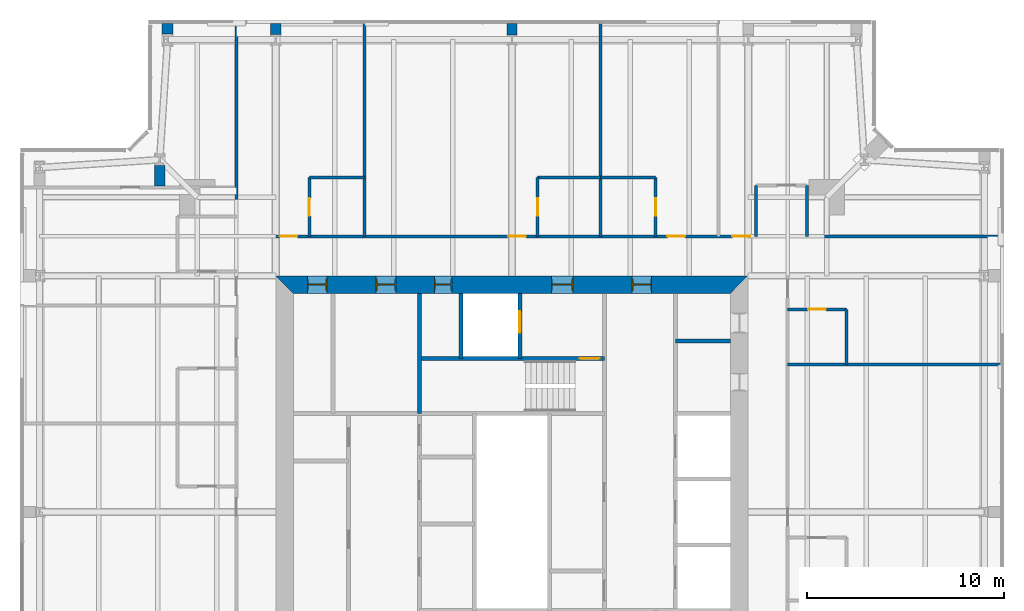
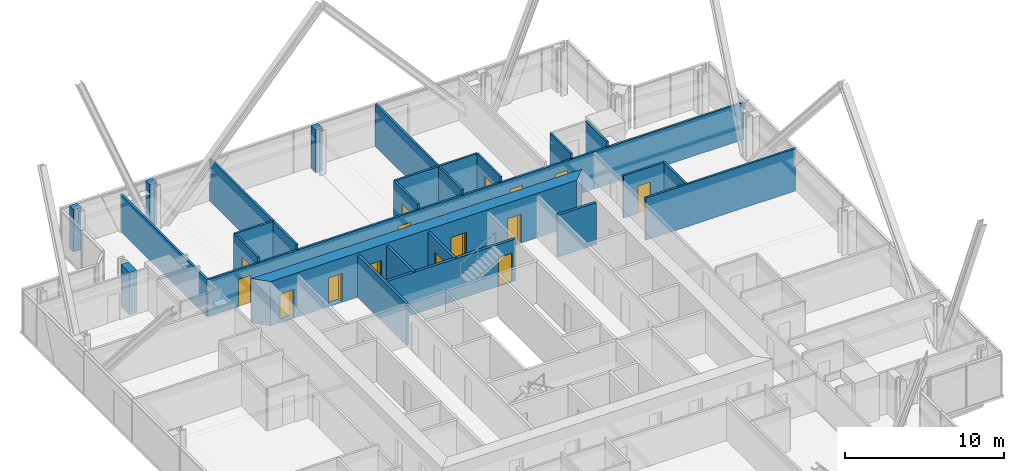
# One storey, part 14 of 18: 26 walls, 15 doors, 15 openings.
"""IFC4 building model written with IfcOpenShell, lengths in metres."""

from ifc_helpers import new_model, si_unit, direction, frame, frame_2d, origin, place, context, subcontext, project, spatial, polyline, rectangle, outline, extrude, material, layer, layer_set, type_object, element, fill, save


model = new_model("IFC4")

# Units and contexts
model_context = context("Model", 3, precision=1e-05, world=origin(), true_north=direction((0.0, 1.0)))
body_context = subcontext(model_context, "Body", "Model", "MODEL_VIEW")
ifc_project = project(units=[si_unit("LENGTHUNIT", "METRE"), si_unit("AREAUNIT", "SQUARE_METRE"), si_unit("VOLUMEUNIT", "CUBIC_METRE"), si_unit("PLANEANGLEUNIT", "RADIAN"), si_unit("MASSUNIT", "GRAM", prefix="KILO")], contexts=[model_context])

# Site, building, storey
site_placement = place(None, origin())
site = spatial("IfcSite", under=ifc_project, at=site_placement, CompositionType="ELEMENT")
building_placement = place(site_placement, origin())
building = spatial("IfcBuilding", under=site, at=building_placement, Name="Fenwick Lantern Interchange", CompositionType="ELEMENT")
storey_placement = place(building_placement, frame((0.0, 0.0, 269.60009765625)))
storey = spatial("IfcBuildingStorey", under=building, at=storey_placement, Name="L64", CompositionType="ELEMENT", Elevation=269.60009765625)

# Walls
ifc_material_1 = material(Name="Fire-rated gypsum board encasement on steel studs, 2 hour", Category="steel")
ifc_layer_1 = layer(ifc_material_1, 0.52392578125)
ifc_layer_set_1 = layer_set([ifc_layer_1], Name="COLUMN PIER 524")
wall_type_1 = type_object("IfcWallType", Name="COLUMN PIER 524", PredefinedType="PARTITIONING", material=ifc_layer_set_1)
wall_1_placement = place(storey_placement, frame((25.0, 49.81005859375, 0.0), z_axis=(0.0, 0.0, 1.0), x_axis=(0.0, -1.0, 0.0)))
element("IfcWall", 1, at=wall_1_placement, inside=storey, type_object=wall_type_1, Name="L64/W/PIER/CN3", PredefinedType="PARTITIONING", context=body_context, shape_type="SweptSolid", body=[
    extrude(rectangle(XDim=0.572509765625, YDim=0.52392578125, at=frame_2d((0.2861328125, 0.0))), origin(), (0.0, 0.0, 1.0), 3.25),
])
ifc_layer_2 = layer(ifc_material_1, 0.5419921875)
ifc_layer_set_2 = layer_set([ifc_layer_2], Name="COLUMN PIER 542")
wall_type_2 = type_object("IfcWallType", Name="COLUMN PIER 542", PredefinedType="PARTITIONING", material=ifc_layer_set_2)
wall_2_placement = place(storey_placement, frame((13.0, 49.81005859375, 0.0), z_axis=(0.0, 0.0, 1.0), x_axis=(0.0, -1.0, 0.0)))
element("IfcWall", 2, at=wall_2_placement, inside=storey, type_object=wall_type_2, Name="L64/W/PIER/CN4", PredefinedType="PARTITIONING", context=body_context, shape_type="SweptSolid", body=[
    extrude(rectangle(XDim=0.544677734375, YDim=0.5419921875, at=frame_2d((0.2724609375, 0.0))), origin(), (0.0, 0.0, 1.0), 3.25),
])
ifc_layer_3 = layer(ifc_material_1, 0.554931640625)
ifc_layer_set_3 = layer_set([ifc_layer_3], Name="COLUMN PIER 555")
wall_type_3 = type_object("IfcWallType", Name="COLUMN PIER 555", PredefinedType="PARTITIONING", material=ifc_layer_set_3)
wall_3_placement = place(storey_placement, frame((7.5, 49.81005859375, 0.0), z_axis=(0.0, 0.0, 1.0), x_axis=(0.0, -1.0, 0.0)))
element("IfcWall", 3, at=wall_3_placement, inside=storey, type_object=wall_type_3, Name="L64/W/PIER/CN5", PredefinedType="PARTITIONING", context=body_context, shape_type="SweptSolid", body=[
    extrude(rectangle(XDim=0.525634765625, YDim=0.554931640625, at=frame_2d((0.2626953125, 0.0))), origin(), (0.0, 0.0, 1.0), 3.25),
])
wall_4_placement = place(storey_placement, frame((7.10009765625, 41.574951171875, 0.0), z_axis=(0.0, 0.0, 1.0), x_axis=(0.0, 1.0, 0.0)))
element("IfcWall", 4, at=wall_4_placement, inside=storey, type_object=wall_type_3, Name="L64/W/PIER/CNR", PredefinedType="PARTITIONING", context=body_context, shape_type="SweptSolid", body=[
    extrude(rectangle(XDim=1.04052734375, YDim=0.554931640625, at=frame_2d((0.520263671875, 0.0))), origin(), (0.0, 0.0, 1.0), 3.25),
])

# Wall, opening, door
ifc_material_2 = material(Name="Concrete masonry ASTM C90 Grade N", Category="masonry")
ifc_layer_4 = layer(ifc_material_2, 0.199951171875)
ifc_layer_set_4 = layer_set([ifc_layer_4], Name="Concrete masonry ASTM C90 Grade N")
wall_type_4 = type_object("IfcWallType", Name="CORE PARTITION 200", PredefinedType="PARTITIONING", material=ifc_layer_set_4)
wall_5_placement = place(storey_placement, frame((25.39990234375, 36.10009765625, 0.0), z_axis=(0.0, 0.0, 1.0), x_axis=(0.0, -1.0, 0.0)))
wall_5 = element("IfcWall", 5, at=wall_5_placement, inside=storey, type_object=wall_type_4, Name="L64/W/COREN/h1", PredefinedType="PARTITIONING", context=body_context, shape_type="SweptSolid", body=[
    extrude(rectangle(XDim=3.300048828125, YDim=0.199951171875, at=frame_2d((1.64990234375, 0.0))), origin(), (0.0, 0.0, 1.0), 3.199951171875),
])
opening_1_placement = place(wall_5_placement, frame((0.89990234375, 0.0, 0.0)))
opening_1 = element("IfcOpeningElement", 6, at=opening_1_placement, cuts=wall_5, Name="Opening LD-FL2", PredefinedType="OPENING", context=body_context, shape_type="SweptSolid", body=[
    extrude(rectangle(XDim=1.10009765625, YDim=2.199951171875, at=frame_2d((0.550048828125, 1.10009765625))), frame((0.0, 0.10986328125, 0.0), z_axis=(0.0, -1.0, 0.0), x_axis=(1.0, 0.0, 0.0)), (0.0, 0.0, 1.0), 0.219970703125),
])
ifc_material_3 = material(Name="Steel door and frame", Category="steel")
door_type_1 = type_object("IfcDoorType", Name="LIFT LANDING DOOR 1100 X 2200", OperationType="DOUBLE_DOOR_SLIDING", PredefinedType="DOOR", material=ifc_material_3)
door_1_placement = place(opening_1_placement, origin())
door_1 = element("IfcDoor", 7, at=door_1_placement, inside=storey, type_object=door_type_1, Name="Lift landing door FL2", OperationType="DOUBLE_DOOR_SLIDING", OverallHeight=2.199951171875, OverallWidth=1.10009765625, PredefinedType="DOOR", context=body_context, shape_type="SweptSolid", body=[
    extrude(rectangle(XDim=1.10009765625, YDim=2.199951171875, at=frame_2d((0.550048828125, 1.10009765625))), frame((0.0, 0.02490234375, 0.0), z_axis=(0.0, -1.0, 0.0), x_axis=(1.0, 0.0, 0.0)), (0.0, 0.0, 1.0), 0.050048828125),
])
fill(opening_1, door_1)

# Walls
wall_6_placement = place(storey_placement, frame((22.39990234375, 36.10009765625, 0.0), z_axis=(0.0, 0.0, 1.0), x_axis=(0.0, -1.0, 0.0)))
element("IfcWall", 8, at=wall_6_placement, inside=storey, type_object=wall_type_4, Name="L64/W/COREN/h2", PredefinedType="PARTITIONING", context=body_context, shape_type="SweptSolid", body=[
    extrude(rectangle(XDim=3.300048828125, YDim=0.199951171875, at=frame_2d((1.64990234375, 0.0))), origin(), (0.0, 0.0, 1.0), 3.199951171875),
])
wall_7_placement = place(storey_placement, frame((36.10009765625, 33.699951171875, 0.0), z_axis=(0.0, 0.0, 1.0), x_axis=(-1.0, 0.0, 0.0)))
element("IfcWall", 9, at=wall_7_placement, inside=storey, type_object=wall_type_4, Name="L64/W/COREN/p1", PredefinedType="PARTITIONING", context=body_context, shape_type="SweptSolid", body=[
    extrude(rectangle(XDim=2.800048828125, YDim=0.199951171875, at=frame_2d((1.39990234375, 0.0))), origin(), (0.0, 0.0, 1.0), 3.199951171875),
])

# Wall, openings, doors
ifc_material_4 = material(Name="Concrete f'c 70 MPa", Category="concrete")
ifc_layer_5 = layer(ifc_material_4, 0.89990234375)
ifc_layer_set_5 = layer_set([ifc_layer_5], Name="CORE WALL 900")
wall_type_5 = type_object("IfcWallType", Name="CORE WALL 900", PredefinedType="SHEAR", material=ifc_layer_set_5)
wall_8_placement = place(storey_placement, frame((37.0, 36.550048828125, 0.0), z_axis=(0.0, 0.0, 1.0), x_axis=(-1.0, 0.0, 0.0)))
wall_8 = element("IfcWall", 10, at=wall_8_placement, inside=storey, type_object=wall_type_5, Name="L64/CORE/N", PredefinedType="SHEAR", context=body_context, shape_type="SweptSolid", body=[
    extrude(outline(polyline([(0.0, -0.449951171875), (24.0, -0.449951171875), (23.10009765625, 0.449951171875), (0.89990234375, 0.449951171875), (0.0, -0.449951171875)])), origin(), (0.0, 0.0, 1.0), 3.39990234375),
])
opening_2_placement = place(wall_8_placement, frame((4.89990234375, 0.0, 0.0)))
opening_2 = element("IfcOpeningElement", 11, at=opening_2_placement, cuts=wall_8, Name="Opening L64-D014", PredefinedType="OPENING", context=body_context, shape_type="SweptSolid", body=[
    extrude(rectangle(XDim=1.0, YDim=2.199951171875, at=frame_2d((0.5, 1.10009765625))), frame((0.0, 0.4599609375, 0.0), z_axis=(0.0, -1.0, 0.0), x_axis=(1.0, 0.0, 0.0)), (0.0, 0.0, 1.0), 0.919921875),
])
opening_3_placement = place(wall_8_placement, frame((8.89990234375, 0.0, 0.0)))
opening_3 = element("IfcOpeningElement", 12, at=opening_3_placement, cuts=wall_8, Name="Opening L64-D015", PredefinedType="OPENING", context=body_context, shape_type="SweptSolid", body=[
    extrude(rectangle(XDim=1.10009765625, YDim=2.199951171875, at=frame_2d((0.550048828125, 1.10009765625))), frame((0.0, 0.4599609375, 0.0), z_axis=(0.0, -1.0, 0.0), x_axis=(1.0, 0.0, 0.0)), (0.0, 0.0, 1.0), 0.919921875),
])
opening_4_placement = place(wall_8_placement, frame((15.050048828125, 0.0, 0.0)))
opening_4 = element("IfcOpeningElement", 13, at=opening_4_placement, cuts=wall_8, Name="Opening L64-D017", PredefinedType="OPENING", context=body_context, shape_type="SweptSolid", body=[
    extrude(rectangle(XDim=0.89990234375, YDim=2.199951171875, at=frame_2d((0.449951171875, 1.10009765625))), frame((0.0, 0.4599609375, 0.0), z_axis=(0.0, -1.0, 0.0), x_axis=(1.0, 0.0, 0.0)), (0.0, 0.0, 1.0), 0.919921875),
])
opening_5_placement = place(wall_8_placement, frame((17.89990234375, 0.0, 0.0)))
opening_5 = element("IfcOpeningElement", 14, at=opening_5_placement, cuts=wall_8, Name="Opening L64-D018", PredefinedType="OPENING", context=body_context, shape_type="SweptSolid", body=[
    extrude(rectangle(XDim=1.0, YDim=2.199951171875, at=frame_2d((0.5, 1.10009765625))), frame((0.0, 0.4599609375, 0.0), z_axis=(0.0, -1.0, 0.0), x_axis=(1.0, 0.0, 0.0)), (0.0, 0.0, 1.0), 0.919921875),
])
opening_6_placement = place(wall_8_placement, frame((21.39990234375, 0.0, 0.0)))
opening_6 = element("IfcOpeningElement", 15, at=opening_6_placement, cuts=wall_8, Name="Opening L64-D019", PredefinedType="OPENING", context=body_context, shape_type="SweptSolid", body=[
    extrude(rectangle(XDim=1.0, YDim=2.199951171875, at=frame_2d((0.5, 1.10009765625))), frame((0.0, 0.4599609375, 0.0), z_axis=(0.0, -1.0, 0.0), x_axis=(1.0, 0.0, 0.0)), (0.0, 0.0, 1.0), 0.919921875),
])
door_type_2 = type_object("IfcDoorType", Name="CORE LOBBY DOOR 1000 X 2200", OperationType="SINGLE_SWING_LEFT", PredefinedType="DOOR", material=ifc_material_3)
door_2_placement = place(opening_2_placement, origin())
door_2 = element("IfcDoor", 16, at=door_2_placement, inside=storey, type_object=door_type_2, Name="Core lobby door", OperationType="SINGLE_SWING_LEFT", OverallHeight=2.199951171875, OverallWidth=1.0, PredefinedType="DOOR", context=body_context, shape_type="SweptSolid", body=[
    extrude(rectangle(XDim=1.0, YDim=2.199951171875, at=frame_2d((0.5, 1.10009765625))), frame((0.0, 0.02490234375, 0.0), z_axis=(0.0, -1.0, 0.0), x_axis=(1.0, 0.0, 0.0)), (0.0, 0.0, 1.0), 0.050048828125),
    extrude(outline(polyline([(0.0, 0.0), (0.0400390625, 0.0), (0.0400390625, 2.159912109375), (0.9599609375, 2.159912109375), (0.9599609375, 0.0), (1.0, 0.0), (1.0, 2.199951171875), (0.0, 2.199951171875), (0.0, 0.0)])), frame((0.0, 0.300048828125, 0.0), z_axis=(0.0, -1.0, 0.0), x_axis=(1.0, 0.0, 0.0)), (0.0, 0.0, 1.0), 0.60009765625),
])
fill(opening_2, door_2)
door_type_3 = type_object("IfcDoorType", Name="FIRE LOBBY DOOR 1100 X 2200", OperationType="SINGLE_SWING_LEFT", PredefinedType="DOOR", material=ifc_material_3)
door_3_placement = place(opening_3_placement, origin())
door_3 = element("IfcDoor", 17, at=door_3_placement, inside=storey, type_object=door_type_3, Name="Fire lobby door", OperationType="SINGLE_SWING_LEFT", OverallHeight=2.199951171875, OverallWidth=1.10009765625, PredefinedType="DOOR", context=body_context, shape_type="SweptSolid", body=[
    extrude(rectangle(XDim=1.10009765625, YDim=2.199951171875, at=frame_2d((0.550048828125, 1.10009765625))), frame((0.0, 0.02490234375, 0.0), z_axis=(0.0, -1.0, 0.0), x_axis=(1.0, 0.0, 0.0)), (0.0, 0.0, 1.0), 0.050048828125),
    extrude(outline(polyline([(0.0, 0.0), (0.0400390625, 0.0), (0.0400390625, 2.159912109375), (1.06005859375, 2.159912109375), (1.06005859375, 0.0), (1.10009765625, 0.0), (1.10009765625, 2.199951171875), (0.0, 2.199951171875), (0.0, 0.0)])), frame((0.0, 0.300048828125, 0.0), z_axis=(0.0, -1.0, 0.0), x_axis=(1.0, 0.0, 0.0)), (0.0, 0.0, 1.0), 0.60009765625),
])
fill(opening_3, door_3)
door_type_4 = type_object("IfcDoorType", Name="SERVICE DOOR 900 X 2200", OperationType="SINGLE_SWING_LEFT", PredefinedType="DOOR", material=ifc_material_3)
door_4_placement = place(opening_4_placement, origin())
door_4 = element("IfcDoor", 18, at=door_4_placement, inside=storey, type_object=door_type_4, Name="Service door", OperationType="SINGLE_SWING_LEFT", OverallHeight=2.199951171875, OverallWidth=0.89990234375, PredefinedType="DOOR", context=body_context, shape_type="SweptSolid", body=[
    extrude(rectangle(XDim=0.89990234375, YDim=2.199951171875, at=frame_2d((0.449951171875, 1.10009765625))), frame((0.0, 0.02490234375, 0.0), z_axis=(0.0, -1.0, 0.0), x_axis=(1.0, 0.0, 0.0)), (0.0, 0.0, 1.0), 0.050048828125),
    extrude(outline(polyline([(0.0, 0.0), (0.0400390625, 0.0), (0.0400390625, 2.159912109375), (0.85986328125, 2.159912109375), (0.85986328125, 0.0), (0.89990234375, 0.0), (0.89990234375, 2.199951171875), (0.0, 2.199951171875), (0.0, 0.0)])), frame((0.0, 0.300048828125, 0.0), z_axis=(0.0, -1.0, 0.0), x_axis=(1.0, 0.0, 0.0)), (0.0, 0.0, 1.0), 0.60009765625),
])
fill(opening_4, door_4)
ifc_material_5 = material(Name="Hardwood door and steel frame", Category="steel")
door_type_5 = type_object("IfcDoorType", Name="WC DOOR 1000 X 2200", OperationType="SINGLE_SWING_LEFT", PredefinedType="DOOR", material=ifc_material_5)
door_5_placement = place(opening_5_placement, origin())
door_5 = element("IfcDoor", 19, at=door_5_placement, inside=storey, type_object=door_type_5, Name="Wc door", OperationType="SINGLE_SWING_LEFT", OverallHeight=2.199951171875, OverallWidth=1.0, PredefinedType="DOOR", context=body_context, shape_type="SweptSolid", body=[
    extrude(rectangle(XDim=1.0, YDim=2.199951171875, at=frame_2d((0.5, 1.10009765625))), frame((0.0, 0.02490234375, 0.0), z_axis=(0.0, -1.0, 0.0), x_axis=(1.0, 0.0, 0.0)), (0.0, 0.0, 1.0), 0.050048828125),
    extrude(outline(polyline([(0.0, 0.0), (0.0400390625, 0.0), (0.0400390625, 2.159912109375), (0.9599609375, 2.159912109375), (0.9599609375, 0.0), (1.0, 0.0), (1.0, 2.199951171875), (0.0, 2.199951171875), (0.0, 0.0)])), frame((0.0, 0.300048828125, 0.0), z_axis=(0.0, -1.0, 0.0), x_axis=(1.0, 0.0, 0.0)), (0.0, 0.0, 1.0), 0.60009765625),
])
fill(opening_5, door_5)
door_6_placement = place(opening_6_placement, origin())
door_6 = element("IfcDoor", 20, at=door_6_placement, inside=storey, type_object=door_type_5, Name="Wc door", OperationType="SINGLE_SWING_LEFT", OverallHeight=2.199951171875, OverallWidth=1.0, PredefinedType="DOOR", context=body_context, shape_type="SweptSolid", body=[
    extrude(rectangle(XDim=1.0, YDim=2.199951171875, at=frame_2d((0.5, 1.10009765625))), frame((0.0, 0.02490234375, 0.0), z_axis=(0.0, -1.0, 0.0), x_axis=(1.0, 0.0, 0.0)), (0.0, 0.0, 1.0), 0.050048828125),
    extrude(outline(polyline([(0.0, 0.0), (0.0400390625, 0.0), (0.0400390625, 2.159912109375), (0.9599609375, 2.159912109375), (0.9599609375, 0.0), (1.0, 0.0), (1.0, 2.199951171875), (0.0, 2.199951171875), (0.0, 0.0)])), frame((0.0, 0.300048828125, 0.0), z_axis=(0.0, -1.0, 0.0), x_axis=(1.0, 0.0, 0.0)), (0.0, 0.0, 1.0), 0.60009765625),
])
fill(opening_6, door_6)

ifc_material_6 = material(Name="Gypsum board on steel studs, 1 hour", Category="steel")
ifc_layer_6 = layer(ifc_material_6, 0.14990234375)
ifc_layer_set_6 = layer_set([ifc_layer_6], Name="CORRIDOR WALL 150")
wall_type_6 = type_object("IfcWallType", Name="CORRIDOR WALL 150", PredefinedType="PARTITIONING", material=ifc_layer_set_6)
wall_9_placement = place(storey_placement, frame((39.0, 39.0, 0.0), z_axis=(0.0, 0.0, 1.0), x_axis=(-1.0, 0.0, 0.0)))
wall_9 = element("IfcWall", 21, at=wall_9_placement, inside=storey, type_object=wall_type_6, Name="L64/W/HOTEL/N/CW", PredefinedType="PARTITIONING", context=body_context, shape_type="SweptSolid", body=[
    extrude(rectangle(XDim=28.0, YDim=0.14990234375, at=frame_2d((14.0, 0.0))), origin(), (0.0, 0.0, 1.0), 2.843505859375),
])
opening_7_placement = place(wall_9_placement, frame((1.89990234375, 0.0, 0.0)))
opening_7 = element("IfcOpeningElement", 22, at=opening_7_placement, cuts=wall_9, Name="Opening L64-D041", PredefinedType="OPENING", context=body_context, shape_type="SweptSolid", body=[
    extrude(rectangle(XDim=0.89990234375, YDim=2.10009765625, at=frame_2d((0.449951171875, 1.050048828125))), frame((0.0, 0.0849609375, 0.0), z_axis=(0.0, -1.0, 0.0), x_axis=(1.0, 0.0, 0.0)), (0.0, 0.0, 1.0), 0.169921875),
])
opening_8_placement = place(wall_9_placement, frame((5.199951171875, 0.0, 0.0)))
opening_8 = element("IfcOpeningElement", 23, at=opening_8_placement, cuts=wall_9, Name="Opening L64-D044", PredefinedType="OPENING", context=body_context, shape_type="SweptSolid", body=[
    extrude(rectangle(XDim=0.89990234375, YDim=2.10009765625, at=frame_2d((0.449951171875, 1.050048828125))), frame((0.0, 0.0849609375, 0.0), z_axis=(0.0, -1.0, 0.0), x_axis=(1.0, 0.0, 0.0)), (0.0, 0.0, 1.0), 0.169921875),
])
opening_9_placement = place(wall_9_placement, frame((13.300048828125, 0.0, 0.0)))
opening_9 = element("IfcOpeningElement", 24, at=opening_9_placement, cuts=wall_9, Name="Opening L64-D046", PredefinedType="OPENING", context=body_context, shape_type="SweptSolid", body=[
    extrude(rectangle(XDim=0.89990234375, YDim=2.10009765625, at=frame_2d((0.449951171875, 1.050048828125))), frame((0.0, 0.0849609375, 0.0), z_axis=(0.0, -1.0, 0.0), x_axis=(1.0, 0.0, 0.0)), (0.0, 0.0, 1.0), 0.169921875),
])
opening_10_placement = place(wall_9_placement, frame((24.89990234375, 0.0, 0.0)))
opening_10 = element("IfcOpeningElement", 25, at=opening_10_placement, cuts=wall_9, Name="Opening L64-D048", PredefinedType="OPENING", context=body_context, shape_type="SweptSolid", body=[
    extrude(rectangle(XDim=0.89990234375, YDim=2.10009765625, at=frame_2d((0.449951171875, 1.050048828125))), frame((0.0, 0.0849609375, 0.0), z_axis=(0.0, -1.0, 0.0), x_axis=(1.0, 0.0, 0.0)), (0.0, 0.0, 1.0), 0.169921875),
])
door_type_6 = type_object("IfcDoorType", Name="GUEST ROOM DOOR 900 X 2100", OperationType="SINGLE_SWING_LEFT", PredefinedType="DOOR", material=ifc_material_3)
door_7_placement = place(opening_7_placement, frame((0.89990234375, 0.0, 0.0), z_axis=(0.0, 0.0, 1.0), x_axis=(-1.0, 0.0, 0.0)))
door_7 = element("IfcDoor", 26, at=door_7_placement, inside=storey, type_object=door_type_6, Name="Guest room door", OperationType="SINGLE_SWING_RIGHT", OverallHeight=2.10009765625, OverallWidth=0.89990234375, PredefinedType="DOOR", context=body_context, shape_type="SweptSolid", body=[
    extrude(rectangle(XDim=0.89990234375, YDim=2.10009765625, at=frame_2d((0.449951171875, 1.050048828125))), frame((0.0, 0.02490234375, 0.0), z_axis=(0.0, -1.0, 0.0), x_axis=(1.0, 0.0, 0.0)), (0.0, 0.0, 1.0), 0.050048828125),
])
fill(opening_7, door_7)
door_8_placement = place(opening_8_placement, frame((0.89990234375, 0.0, 0.0), z_axis=(0.0, 0.0, 1.0), x_axis=(-1.0, 0.0, 0.0)))
door_8 = element("IfcDoor", 27, at=door_8_placement, inside=storey, type_object=door_type_6, Name="Guest room door", OperationType="SINGLE_SWING_LEFT", OverallHeight=2.10009765625, OverallWidth=0.89990234375, PredefinedType="DOOR", context=body_context, shape_type="SweptSolid", body=[
    extrude(rectangle(XDim=0.89990234375, YDim=2.10009765625, at=frame_2d((0.449951171875, 1.050048828125))), frame((0.0, 0.02490234375, 0.0), z_axis=(0.0, -1.0, 0.0), x_axis=(1.0, 0.0, 0.0)), (0.0, 0.0, 1.0), 0.050048828125),
])
fill(opening_8, door_8)
door_9_placement = place(opening_9_placement, frame((0.89990234375, 0.0, 0.0), z_axis=(0.0, 0.0, 1.0), x_axis=(-1.0, 0.0, 0.0)))
door_9 = element("IfcDoor", 28, at=door_9_placement, inside=storey, type_object=door_type_6, Name="Guest room door", OperationType="SINGLE_SWING_RIGHT", OverallHeight=2.10009765625, OverallWidth=0.89990234375, PredefinedType="DOOR", context=body_context, shape_type="SweptSolid", body=[
    extrude(rectangle(XDim=0.89990234375, YDim=2.10009765625, at=frame_2d((0.449951171875, 1.050048828125))), frame((0.0, 0.02490234375, 0.0), z_axis=(0.0, -1.0, 0.0), x_axis=(1.0, 0.0, 0.0)), (0.0, 0.0, 1.0), 0.050048828125),
])
fill(opening_9, door_9)
door_10_placement = place(opening_10_placement, frame((0.89990234375, 0.0, 0.0), z_axis=(0.0, 0.0, 1.0), x_axis=(-1.0, 0.0, 0.0)))
door_10 = element("IfcDoor", 29, at=door_10_placement, inside=storey, type_object=door_type_6, Name="Guest room door", OperationType="SINGLE_SWING_RIGHT", OverallHeight=2.10009765625, OverallWidth=0.89990234375, PredefinedType="DOOR", context=body_context, shape_type="SweptSolid", body=[
    extrude(rectangle(XDim=0.89990234375, YDim=2.10009765625, at=frame_2d((0.449951171875, 1.050048828125))), frame((0.0, 0.02490234375, 0.0), z_axis=(0.0, -1.0, 0.0), x_axis=(1.0, 0.0, 0.0)), (0.0, 0.0, 1.0), 0.050048828125),
])
fill(opening_10, door_10)

# Wall
ifc_material_7 = material(Name="Gypsum board on steel studs, moisture resistant", Category="steel")
ifc_layer_7 = layer(ifc_material_7, 0.14990234375)
ifc_layer_set_7 = layer_set([ifc_layer_7], Name="EN-SUITE WALL 150")
wall_type_7 = type_object("IfcWallType", Name="EN-SUITE WALL 150", PredefinedType="PARTITIONING", material=ifc_layer_set_7)
wall_10_placement = place(storey_placement, frame((42.0, 32.5, 0.0), z_axis=(0.0, 0.0, 1.0), x_axis=(0.0, 1.0, 0.0)))
element("IfcWall", 30, at=wall_10_placement, inside=storey, type_object=wall_type_7, Name="L64/W/HOTEL/E/U4BW", PredefinedType="PARTITIONING", context=body_context, shape_type="SweptSolid", body=[
    extrude(rectangle(XDim=2.800048828125, YDim=0.14990234375, at=frame_2d((1.39990234375, 0.0))), origin(), (0.0, 0.0, 1.0), 3.25),
])

# Wall, opening, door
wall_11_placement = place(storey_placement, frame((42.0, 35.300048828125, 0.0), z_axis=(0.0, 0.0, 1.0), x_axis=(-1.0, 0.0, 0.0)))
wall_11 = element("IfcWall", 31, at=wall_11_placement, inside=storey, type_object=wall_type_7, Name="L64/W/HOTEL/E/U4BX", PredefinedType="PARTITIONING", context=body_context, shape_type="SweptSolid", body=[
    extrude(rectangle(XDim=3.0, YDim=0.14990234375, at=frame_2d((1.5, 0.0))), origin(), (0.0, 0.0, 1.0), 3.25),
])
opening_11_placement = place(wall_11_placement, frame((1.050048828125, 0.0, 0.0)))
opening_11 = element("IfcOpeningElement", 32, at=opening_11_placement, cuts=wall_11, Name="Opening L64-D039", PredefinedType="OPENING", context=body_context, shape_type="SweptSolid", body=[
    extrude(rectangle(XDim=0.89990234375, YDim=2.10009765625, at=frame_2d((0.449951171875, 1.050048828125))), frame((0.0, 0.0849609375, 0.0), z_axis=(0.0, -1.0, 0.0), x_axis=(1.0, 0.0, 0.0)), (0.0, 0.0, 1.0), 0.169921875),
])
door_type_7 = type_object("IfcDoorType", Name="EN-SUITE DOOR 900 X 2100", OperationType="SINGLE_SWING_LEFT", PredefinedType="DOOR", material=ifc_material_5)
door_11_placement = place(opening_11_placement, origin())
door_11 = element("IfcDoor", 33, at=door_11_placement, inside=storey, type_object=door_type_7, Name="En-suite door", OperationType="SINGLE_SWING_LEFT", OverallHeight=2.10009765625, OverallWidth=0.89990234375, PredefinedType="DOOR", context=body_context, shape_type="SweptSolid", body=[
    extrude(rectangle(XDim=0.89990234375, YDim=2.10009765625, at=frame_2d((0.449951171875, 1.050048828125))), frame((0.0, 0.02490234375, 0.0), z_axis=(0.0, -1.0, 0.0), x_axis=(1.0, 0.0, 0.0)), (0.0, 0.0, 1.0), 0.050048828125),
])
fill(opening_11, door_11)

# Walls
for number, where, z_axis, x_axis, name in (
    (34, (40.0, 41.60009765625, 0.0), (0.0, 0.0, 1.0), (0.0, -1.0, 0.0), "L64/W/HOTEL/N/U1BX"),
    (35, (37.39990234375, 41.60009765625, 0.0), (0.0, 0.0, 1.0), (0.0, -1.0, 0.0), "L64/W/HOTEL/N/U1BE"),
):
    element("IfcWall", number, at=place(storey_placement, frame(where, z_axis=z_axis, x_axis=x_axis)), inside=storey, type_object=wall_type_7, Name=name, PredefinedType="PARTITIONING", context=body_context, shape_type="SweptSolid", body=[
        extrude(rectangle(XDim=2.60009765625, YDim=0.14990234375, at=frame_2d((1.300048828125, 0.0))), origin(), (0.0, 0.0, 1.0), 3.25),
    ])
wall_12_placement = place(storey_placement, frame((32.300048828125, 42.0, 0.0), z_axis=(0.0, 0.0, 1.0), x_axis=(-1.0, 0.0, 0.0)))
element("IfcWall", 36, at=wall_12_placement, inside=storey, type_object=wall_type_7, Name="L64/W/HOTEL/N/U2BW", PredefinedType="PARTITIONING", context=body_context, shape_type="SweptSolid", body=[
    extrude(rectangle(XDim=2.800048828125, YDim=0.14990234375, at=frame_2d((1.39990234375, 0.0))), origin(), (0.0, 0.0, 1.0), 3.25),
])

# Wall, opening, door
wall_13_placement = place(storey_placement, frame((32.300048828125, 42.0, 0.0), z_axis=(0.0, 0.0, 1.0), x_axis=(0.0, -1.0, 0.0)))
wall_13 = element("IfcWall", 37, at=wall_13_placement, inside=storey, type_object=wall_type_7, Name="L64/W/HOTEL/N/U2BX", PredefinedType="PARTITIONING", context=body_context, shape_type="SweptSolid", body=[
    extrude(rectangle(XDim=3.0, YDim=0.14990234375, at=frame_2d((1.5, 0.0))), origin(), (0.0, 0.0, 1.0), 3.25),
])
opening_12_placement = place(wall_13_placement, frame((1.050048828125, 0.0, 0.0)))
opening_12 = element("IfcOpeningElement", 38, at=opening_12_placement, cuts=wall_13, Name="Opening L64-D043", PredefinedType="OPENING", context=body_context, shape_type="SweptSolid", body=[
    extrude(rectangle(XDim=0.89990234375, YDim=2.10009765625, at=frame_2d((0.449951171875, 1.050048828125))), frame((0.0, 0.0849609375, 0.0), z_axis=(0.0, -1.0, 0.0), x_axis=(1.0, 0.0, 0.0)), (0.0, 0.0, 1.0), 0.169921875),
])
door_12_placement = place(opening_12_placement, frame((0.89990234375, 0.0, 0.0), z_axis=(0.0, 0.0, 1.0), x_axis=(-1.0, 0.0, 0.0)))
door_12 = element("IfcDoor", 39, at=door_12_placement, inside=storey, type_object=door_type_7, Name="En-suite door", OperationType="SINGLE_SWING_RIGHT", OverallHeight=2.10009765625, OverallWidth=0.89990234375, PredefinedType="DOOR", context=body_context, shape_type="SweptSolid", body=[
    extrude(rectangle(XDim=0.89990234375, YDim=2.10009765625, at=frame_2d((0.449951171875, 1.050048828125))), frame((0.0, 0.02490234375, 0.0), z_axis=(0.0, -1.0, 0.0), x_axis=(1.0, 0.0, 0.0)), (0.0, 0.0, 1.0), 0.050048828125),
])
fill(opening_12, door_12)

# Wall
wall_14_placement = place(storey_placement, frame((29.5, 42.0, 0.0), z_axis=(0.0, 0.0, 1.0), x_axis=(-1.0, 0.0, 0.0)))
element("IfcWall", 40, at=wall_14_placement, inside=storey, type_object=wall_type_7, Name="L64/W/HOTEL/N/U3BW", PredefinedType="PARTITIONING", context=body_context, shape_type="SweptSolid", body=[
    extrude(rectangle(XDim=3.199951171875, YDim=0.14990234375, at=frame_2d((1.60009765625, 0.0))), origin(), (0.0, 0.0, 1.0), 3.25),
])

# Wall, opening, door
wall_15_placement = place(storey_placement, frame((26.300048828125, 42.0, 0.0), z_axis=(0.0, 0.0, 1.0), x_axis=(0.0, -1.0, 0.0)))
wall_15 = element("IfcWall", 41, at=wall_15_placement, inside=storey, type_object=wall_type_7, Name="L64/W/HOTEL/N/U3BX", PredefinedType="PARTITIONING", context=body_context, shape_type="SweptSolid", body=[
    extrude(rectangle(XDim=3.0, YDim=0.14990234375, at=frame_2d((1.5, 0.0))), origin(), (0.0, 0.0, 1.0), 3.25),
])
opening_13_placement = place(wall_15_placement, frame((1.050048828125, 0.0, 0.0)))
opening_13 = element("IfcOpeningElement", 42, at=opening_13_placement, cuts=wall_15, Name="Opening L64-D045", PredefinedType="OPENING", context=body_context, shape_type="SweptSolid", body=[
    extrude(rectangle(XDim=0.89990234375, YDim=2.10009765625, at=frame_2d((0.449951171875, 1.050048828125))), frame((0.0, 0.0849609375, 0.0), z_axis=(0.0, -1.0, 0.0), x_axis=(1.0, 0.0, 0.0)), (0.0, 0.0, 1.0), 0.169921875),
])
door_13_placement = place(opening_13_placement, origin())
door_13 = element("IfcDoor", 43, at=door_13_placement, inside=storey, type_object=door_type_7, Name="En-suite door", OperationType="SINGLE_SWING_LEFT", OverallHeight=2.10009765625, OverallWidth=0.89990234375, PredefinedType="DOOR", context=body_context, shape_type="SweptSolid", body=[
    extrude(rectangle(XDim=0.89990234375, YDim=2.10009765625, at=frame_2d((0.449951171875, 1.050048828125))), frame((0.0, 0.02490234375, 0.0), z_axis=(0.0, -1.0, 0.0), x_axis=(1.0, 0.0, 0.0)), (0.0, 0.0, 1.0), 0.050048828125),
])
fill(opening_13, door_13)

# Wall
wall_16_placement = place(storey_placement, frame((17.5, 42.0, 0.0), z_axis=(0.0, 0.0, 1.0), x_axis=(-1.0, 0.0, 0.0)))
element("IfcWall", 44, at=wall_16_placement, inside=storey, type_object=wall_type_7, Name="L64/W/HOTEL/N/U4BW", PredefinedType="PARTITIONING", context=body_context, shape_type="SweptSolid", body=[
    extrude(rectangle(XDim=2.800048828125, YDim=0.14990234375, at=frame_2d((1.39990234375, 0.0))), origin(), (0.0, 0.0, 1.0), 3.25),
])

# Wall, opening, door
wall_17_placement = place(storey_placement, frame((14.699951171875, 42.0, 0.0), z_axis=(0.0, 0.0, 1.0), x_axis=(0.0, -1.0, 0.0)))
wall_17 = element("IfcWall", 45, at=wall_17_placement, inside=storey, type_object=wall_type_7, Name="L64/W/HOTEL/N/U4BX", PredefinedType="PARTITIONING", context=body_context, shape_type="SweptSolid", body=[
    extrude(rectangle(XDim=3.0, YDim=0.14990234375, at=frame_2d((1.5, 0.0))), origin(), (0.0, 0.0, 1.0), 3.25),
])
opening_14_placement = place(wall_17_placement, frame((1.050048828125, 0.0, 0.0)))
opening_14 = element("IfcOpeningElement", 46, at=opening_14_placement, cuts=wall_17, Name="Opening L64-D047", PredefinedType="OPENING", context=body_context, shape_type="SweptSolid", body=[
    extrude(rectangle(XDim=0.89990234375, YDim=2.10009765625, at=frame_2d((0.449951171875, 1.050048828125))), frame((0.0, 0.0849609375, 0.0), z_axis=(0.0, -1.0, 0.0), x_axis=(1.0, 0.0, 0.0)), (0.0, 0.0, 1.0), 0.169921875),
])
door_14_placement = place(opening_14_placement, origin())
door_14 = element("IfcDoor", 47, at=door_14_placement, inside=storey, type_object=door_type_7, Name="En-suite door", OperationType="SINGLE_SWING_LEFT", OverallHeight=2.10009765625, OverallWidth=0.89990234375, PredefinedType="DOOR", context=body_context, shape_type="SweptSolid", body=[
    extrude(rectangle(XDim=0.89990234375, YDim=2.10009765625, at=frame_2d((0.449951171875, 1.050048828125))), frame((0.0, 0.02490234375, 0.0), z_axis=(0.0, -1.0, 0.0), x_axis=(1.0, 0.0, 0.0)), (0.0, 0.0, 1.0), 0.050048828125),
])
fill(opening_14, door_14)

# Walls
ifc_material_8 = material(Name="Gypsum board on steel studs, 1 hour acoustic", Category="steel")
ifc_layer_8 = layer(ifc_material_8, 0.14990234375)
ifc_layer_set_8 = layer_set([ifc_layer_8], Name="PARTY WALL 150")
wall_type_8 = type_object("IfcWallType", Name="PARTY WALL 150", PredefinedType="PARTITIONING", material=ifc_layer_set_8)
wall_18_placement = place(storey_placement, frame((49.85009765625, 32.5, 0.0), z_axis=(0.0, 0.0, 1.0), x_axis=(-1.0, 0.0, 0.0)))
element("IfcWall", 48, at=wall_18_placement, inside=storey, type_object=wall_type_8, Name="L64/W/HOTEL/E/U4PW", PredefinedType="PARTITIONING", context=body_context, shape_type="SweptSolid", body=[
    extrude(rectangle(XDim=10.85009765625, YDim=0.14990234375, at=frame_2d((5.425048828125, 0.0))), origin(), (0.0, 0.0, 1.0), 3.25),
])
wall_19_placement = place(storey_placement, frame((49.85009765625, 39.0, 0.0), z_axis=(0.0, 0.0, 1.0), x_axis=(-1.0, 0.0, 0.0)))
element("IfcWall", 49, at=wall_19_placement, inside=storey, type_object=wall_type_8, Name="L64/W/HOTEL/N/SW3", PredefinedType="PARTITIONING", context=body_context, shape_type="SweptSolid", body=[
    extrude(rectangle(XDim=10.85009765625, YDim=0.14990234375, at=frame_2d((5.425048828125, 0.0))), origin(), (0.0, 0.0, 1.0), 2.843505859375),
])
for number, where, z_axis, x_axis, name in (
    (50, (29.5, 49.85009765625, 0.0), (0.0, 0.0, 1.0), (0.0, -1.0, 0.0), "L64/W/HOTEL/N/U3PW"),
    (51, (17.5, 49.85009765625, 0.0), (0.0, 0.0, 1.0), (0.0, -1.0, 0.0), "L64/W/HOTEL/N/U4PW"),
):
    element("IfcWall", number, at=place(storey_placement, frame(where, z_axis=z_axis, x_axis=x_axis)), inside=storey, type_object=wall_type_8, Name=name, PredefinedType="PARTITIONING", context=body_context, shape_type="SweptSolid", body=[
        extrude(rectangle(XDim=10.85009765625, YDim=0.14990234375, at=frame_2d((5.425048828125, 0.0))), origin(), (0.0, 0.0, 1.0), 3.25),
    ])
wall_20_placement = place(storey_placement, frame((11.0, 49.85009765625, 0.0), z_axis=(0.0, 0.0, 1.0), x_axis=(0.0, -1.0, 0.0)))
element("IfcWall", 52, at=wall_20_placement, inside=storey, type_object=wall_type_8, Name="L64/W/HOTEL/W/SW3", PredefinedType="PARTITIONING", context=body_context, shape_type="SweptSolid", body=[
    extrude(rectangle(XDim=10.85009765625, YDim=0.14990234375, at=frame_2d((5.425048828125, 0.0))), origin(), (0.0, 0.0, 1.0), 2.843505859375),
])

# Wall, opening, door
ifc_material_9 = material(Name="Concrete f'c 45 MPa", Category="concrete")
ifc_layer_9 = layer(ifc_material_9, 0.199951171875)
ifc_layer_set_9 = layer_set([ifc_layer_9], Name="STAIR CORE WALL 200")
wall_type_9 = type_object("IfcWallType", Name="STAIR CORE WALL 200", PredefinedType="SOLIDWALL", material=ifc_layer_set_9)
wall_21_placement = place(storey_placement, frame((29.699951171875, 32.800048828125, 0.0), z_axis=(0.0, 0.0, 1.0), x_axis=(-1.0, 0.0, 0.0)))
wall_21 = element("IfcWall", 53, at=wall_21_placement, inside=storey, type_object=wall_type_9, Name="L64/W/COREN/g1", PredefinedType="SOLIDWALL", context=body_context, shape_type="SweptSolid", body=[
    extrude(rectangle(XDim=9.39990234375, YDim=0.199951171875, at=frame_2d((4.699951171875, 0.0))), origin(), (0.0, 0.0, 1.0), 3.199951171875),
])
opening_15_placement = place(wall_21_placement, frame((0.25, 0.0, 0.0)))
opening_15 = element("IfcOpeningElement", 54, at=opening_15_placement, cuts=wall_21, Name="Opening L64-D016", PredefinedType="OPENING", context=body_context, shape_type="SweptSolid", body=[
    extrude(rectangle(XDim=1.0, YDim=2.199951171875, at=frame_2d((0.5, 1.10009765625))), frame((0.0, 0.10986328125, 0.0), z_axis=(0.0, -1.0, 0.0), x_axis=(1.0, 0.0, 0.0)), (0.0, 0.0, 1.0), 0.219970703125),
])
door_type_8 = type_object("IfcDoorType", Name="STAIR DOOR 1000 X 2200", OperationType="SINGLE_SWING_LEFT", PredefinedType="DOOR", material=ifc_material_3)
door_15_placement = place(opening_15_placement, origin())
door_15 = element("IfcDoor", 55, at=door_15_placement, inside=storey, type_object=door_type_8, Name="Stair door", OperationType="SINGLE_SWING_LEFT", OverallHeight=2.199951171875, OverallWidth=1.0, PredefinedType="DOOR", context=body_context, shape_type="SweptSolid", body=[
    extrude(rectangle(XDim=1.0, YDim=2.199951171875, at=frame_2d((0.5, 1.10009765625))), frame((0.0, 0.02490234375, 0.0), z_axis=(0.0, -1.0, 0.0), x_axis=(1.0, 0.0, 0.0)), (0.0, 0.0, 1.0), 0.050048828125),
])
fill(opening_15, door_15)

# Wall
wall_22_placement = place(storey_placement, frame((20.300048828125, 36.10009765625, 0.0), z_axis=(0.0, 0.0, 1.0), x_axis=(0.0, -1.0, 0.0)))
element("IfcWall", 56, at=wall_22_placement, inside=storey, type_object=wall_type_9, Name="L64/W/COREN/i1", PredefinedType="SOLIDWALL", context=body_context, shape_type="SweptSolid", body=[
    extrude(rectangle(XDim=6.10009765625, YDim=0.199951171875, at=frame_2d((3.050048828125, 0.0))), origin(), (0.0, 0.0, 1.0), 3.199951171875),
])

save(model, "model.ifc")
